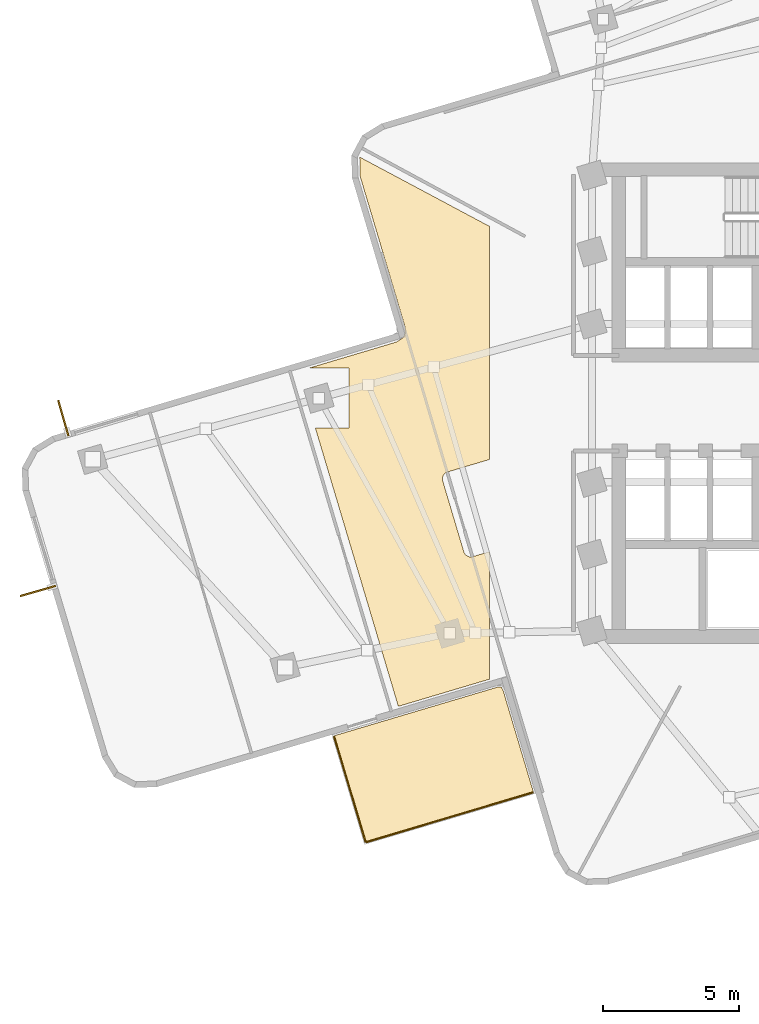
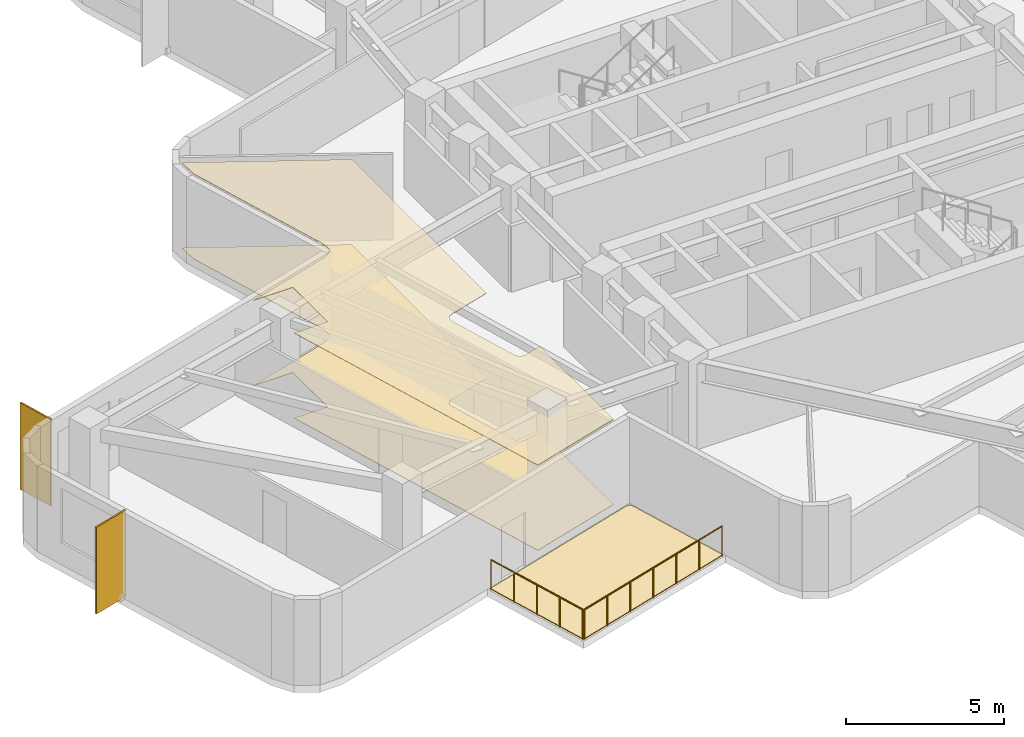
# One storey, part 6 of 8: 3 coverings, 2 railings, 2 shading devices.
"""IFC4 building model written with IfcOpenShell, lengths in metres."""

from ifc_helpers import new_model, si_unit, direction, frame, origin, origin_2d, place, context, subcontext, project, spatial, polyline, rectangle, circle, outline, extrude, material, layer, layer_set, type_object, element, save


model = new_model("IFC4")

# Units and contexts
model_context = context("Model", 3, precision=1e-05, world=origin(), true_north=direction((0.0, 1.0)))
body_context = subcontext(model_context, "Body", "Model", "MODEL_VIEW")
ifc_project = project(units=[si_unit("LENGTHUNIT", "METRE"), si_unit("AREAUNIT", "SQUARE_METRE"), si_unit("VOLUMEUNIT", "CUBIC_METRE"), si_unit("PLANEANGLEUNIT", "RADIAN"), si_unit("MASSUNIT", "GRAM", prefix="KILO")], contexts=[model_context])

# Site, building, storey
site_placement = place(None, origin())
site = spatial("IfcSite", under=ifc_project, at=site_placement, CompositionType="ELEMENT")
building_placement = place(site_placement, origin())
building = spatial("IfcBuilding", under=site, at=building_placement, Name="Solmarez Civic Tower", CompositionType="ELEMENT")
storey_placement = place(building_placement, frame((0.0, 0.0, 145.080078125)))
storey = spatial("IfcBuildingStorey", under=building, at=storey_placement, Name="L38", CompositionType="ELEMENT", Elevation=145.080078125)

# Coverings
ifc_material_1 = material(Name="Perforated Mineral-Fibre Acoustic Ceiling")
ifc_layer_1 = layer(ifc_material_1, 0.02490234375)
ifc_layer_set_1 = layer_set([ifc_layer_1], Name="Perforated Mineral-Fibre Acoustic Ceiling")
covering_type_1 = type_object("IfcCoveringType", Name="COV-CEIL-ACOUSTIC", PredefinedType="CEILING", material=ifc_layer_set_1)
covering_1_placement = place(storey_placement, frame((0.0, 0.0, 3.294921875)))
element("IfcCovering", 1, at=covering_1_placement, inside=storey, type_object=covering_type_1, Name="L38 Suspended Acoustic Ceiling 1", PredefinedType="CEILING", context=body_context, shape_type="SweptSolid", body=[
    extrude(outline(polyline([(-15.947998046875, -11.118896484375), (-12.60009765625, -10.1220703125), (-12.60009765625, -5.447021484375), (-13.217041015625, -5.631103515625), (-13.237060546875, -5.635986328125), (-13.258056640625, -5.638916015625), (-13.26806640625, -5.639892578125), (-13.2900390625, -5.64111328125), (-13.294921875, -5.64111328125), (-13.31689453125, -5.639892578125), (-13.337890625, -5.636962890625), (-13.343017578125, -5.635986328125), (-13.3701171875, -5.62890625), (-13.37890625, -5.6259765625), (-13.39111328125, -5.62109375), (-13.39599609375, -5.618896484375), (-13.4130859375, -5.611083984375), (-13.429931640625, -5.60205078125), (-13.446044921875, -5.591064453125), (-13.4580078125, -5.58203125), (-13.47607421875, -5.56689453125), (-13.492919921875, -5.549072265625), (-13.4990234375, -5.5419921875), (-13.511962890625, -5.52490234375), (-13.52294921875, -5.507080078125), (-13.532958984375, -5.488037109375), (-13.537109375, -5.47900390625), (-13.5400390625, -5.471923828125), (-13.5419921875, -5.467041015625), (-13.549072265625, -5.447998046875), (-14.321044921875, -2.85595703125), (-14.325927734375, -2.8359375), (-14.326904296875, -2.8310546875), (-14.330078125, -2.81005859375), (-14.3310546875, -2.7880859375), (-14.3310546875, -2.778076171875), (-14.330078125, -2.756103515625), (-14.326904296875, -2.735107421875), (-14.325927734375, -2.72998046875), (-14.319091796875, -2.702880859375), (-14.31591796875, -2.694091796875), (-14.31103515625, -2.681884765625), (-14.30908203125, -2.677001953125), (-14.301025390625, -2.659912109375), (-14.2919921875, -2.64306640625), (-14.281005859375, -2.626953125), (-14.27197265625, -2.614990234375), (-14.257080078125, -2.596923828125), (-14.239013671875, -2.580078125), (-14.23193359375, -2.573974609375), (-14.215087890625, -2.56103515625), (-14.197021484375, -2.550048828125), (-14.177978515625, -2.5400390625), (-14.1689453125, -2.535888671875), (-14.162109375, -2.532958984375), (-14.156982421875, -2.531005859375), (-14.137939453125, -2.52392578125), (-12.60009765625, -2.06591796875), (-12.60009765625, 6.47509765625), (-17.361083984375, 9.01611328125), (-17.364013671875, 9.009033203125), (-17.344970703125, 8.301025390625), (-15.721923828125, 2.85888671875), (-15.717041015625, 2.840087890625), (-15.712890625, 2.820068359375), (-15.7109375, 2.805908203125), (-15.708984375, 2.780029296875), (-15.705078125, 2.60302734375), (-15.705078125, 2.594970703125), (-15.70703125, 2.56396484375), (-15.7080078125, 2.55908203125), (-15.708984375, 2.552978515625), (-15.7109375, 2.535888671875), (-15.715087890625, 2.52001953125), (-15.717041015625, 2.512939453125), (-15.72705078125, 2.486083984375), (-15.72998046875, 2.47900390625), (-15.740966796875, 2.45703125), (-15.7451171875, 2.449951171875), (-15.7529296875, 2.43701171875), (-15.757080078125, 2.430908203125), (-15.77099609375, 2.412109375), (-15.77587890625, 2.406005859375), (-15.7890625, 2.39111328125), (-15.7939453125, 2.385986328125), (-15.80908203125, 2.373046875), (-15.81494140625, 2.367919921875), (-15.827880859375, 2.35791015625), (-15.8349609375, 2.35302734375), (-15.847900390625, 2.344970703125), (-15.993896484375, 2.2548828125), (-16.010986328125, 2.2451171875), (-16.01708984375, 2.241943359375), (-16.028076171875, 2.237060546875), (-16.034912109375, 2.23388671875), (-16.052001953125, 2.22705078125), (-16.05810546875, 2.22509765625), (-16.06494140625, 2.222900390625), (-19.218017578125, 1.282958984375), (-17.760009765625, 1.282958984375), (-17.760009765625, -0.9169921875), (-18.989013671875, -0.9169921875), (-15.947998046875, -11.118896484375)])), origin(), (0.0, 0.0, 1.0), 0.02490234375),
])
ifc_material_2 = material(Name="Polished Tropical Stone Terrazzo Flooring", Category="masonry")
ifc_layer_2 = layer(ifc_material_2, 0.02001953125)
ifc_layer_set_2 = layer_set([ifc_layer_2], Name="Polished Tropical Stone Terrazzo Flooring")
covering_type_2 = type_object("IfcCoveringType", Name="COV-FLOOR-TERRAZZO", PredefinedType="FLOORING", material=ifc_layer_set_2)
covering_2_placement = place(storey_placement, origin())
element("IfcCovering", 2, at=covering_2_placement, inside=storey, type_object=covering_type_2, Name="L38 Terrazzo Floor Finish 1", PredefinedType="FLOORING", context=body_context, shape_type="SweptSolid", body=[
    extrude(outline(polyline([(-15.947998046875, -11.118896484375), (-12.60009765625, -10.1220703125), (-12.60009765625, -5.447021484375), (-13.217041015625, -5.631103515625), (-13.237060546875, -5.635986328125), (-13.258056640625, -5.638916015625), (-13.26806640625, -5.639892578125), (-13.2900390625, -5.64111328125), (-13.294921875, -5.64111328125), (-13.31689453125, -5.639892578125), (-13.337890625, -5.636962890625), (-13.343017578125, -5.635986328125), (-13.3701171875, -5.62890625), (-13.37890625, -5.6259765625), (-13.39111328125, -5.62109375), (-13.39599609375, -5.618896484375), (-13.4130859375, -5.611083984375), (-13.429931640625, -5.60205078125), (-13.446044921875, -5.591064453125), (-13.4580078125, -5.58203125), (-13.47607421875, -5.56689453125), (-13.492919921875, -5.549072265625), (-13.4990234375, -5.5419921875), (-13.511962890625, -5.52490234375), (-13.52294921875, -5.507080078125), (-13.532958984375, -5.488037109375), (-13.537109375, -5.47900390625), (-13.5400390625, -5.471923828125), (-13.5419921875, -5.467041015625), (-13.549072265625, -5.447998046875), (-14.321044921875, -2.85595703125), (-14.325927734375, -2.8359375), (-14.326904296875, -2.8310546875), (-14.330078125, -2.81005859375), (-14.3310546875, -2.7880859375), (-14.3310546875, -2.778076171875), (-14.330078125, -2.756103515625), (-14.326904296875, -2.735107421875), (-14.325927734375, -2.72998046875), (-14.319091796875, -2.702880859375), (-14.31591796875, -2.694091796875), (-14.31103515625, -2.681884765625), (-14.30908203125, -2.677001953125), (-14.301025390625, -2.659912109375), (-14.2919921875, -2.64306640625), (-14.281005859375, -2.626953125), (-14.27197265625, -2.614990234375), (-14.257080078125, -2.596923828125), (-14.239013671875, -2.580078125), (-14.23193359375, -2.573974609375), (-14.215087890625, -2.56103515625), (-14.197021484375, -2.550048828125), (-14.177978515625, -2.5400390625), (-14.1689453125, -2.535888671875), (-14.162109375, -2.532958984375), (-14.156982421875, -2.531005859375), (-14.137939453125, -2.52392578125), (-12.60009765625, -2.06591796875), (-12.60009765625, 6.47509765625), (-17.361083984375, 9.01611328125), (-17.364013671875, 9.009033203125), (-17.344970703125, 8.301025390625), (-15.721923828125, 2.85888671875), (-15.717041015625, 2.840087890625), (-15.712890625, 2.820068359375), (-15.7109375, 2.805908203125), (-15.708984375, 2.780029296875), (-15.705078125, 2.60302734375), (-15.705078125, 2.594970703125), (-15.70703125, 2.56396484375), (-15.7080078125, 2.55908203125), (-15.708984375, 2.552978515625), (-15.7109375, 2.535888671875), (-15.715087890625, 2.52001953125), (-15.717041015625, 2.512939453125), (-15.72705078125, 2.486083984375), (-15.72998046875, 2.47900390625), (-15.740966796875, 2.45703125), (-15.7451171875, 2.449951171875), (-15.7529296875, 2.43701171875), (-15.757080078125, 2.430908203125), (-15.77099609375, 2.412109375), (-15.77587890625, 2.406005859375), (-15.7890625, 2.39111328125), (-15.7939453125, 2.385986328125), (-15.80908203125, 2.373046875), (-15.81494140625, 2.367919921875), (-15.827880859375, 2.35791015625), (-15.8349609375, 2.35302734375), (-15.847900390625, 2.344970703125), (-15.993896484375, 2.2548828125), (-16.010986328125, 2.2451171875), (-16.01708984375, 2.241943359375), (-16.028076171875, 2.237060546875), (-16.034912109375, 2.23388671875), (-16.052001953125, 2.22705078125), (-16.05810546875, 2.22509765625), (-16.06494140625, 2.222900390625), (-19.218017578125, 1.282958984375), (-17.760009765625, 1.282958984375), (-17.760009765625, -0.9169921875), (-18.989013671875, -0.9169921875), (-15.947998046875, -11.118896484375)])), origin(), (0.0, 0.0, 1.0), 0.02001953125),
])
ifc_material_3 = material(Name="Elastomeric Terrace Waterproofing Membrane")
ifc_layer_3 = layer(ifc_material_3, 0.030029296875)
ifc_layer_set_3 = layer_set([ifc_layer_3], Name="Elastomeric Terrace Waterproofing Membrane")
covering_type_3 = type_object("IfcCoveringType", Name="COV-MEMBRANE-ROOF", PredefinedType="ROOFING", material=ifc_layer_set_3)
covering_3_placement = place(storey_placement, origin())
element("IfcCovering", 3, at=covering_3_placement, inside=storey, type_object=covering_type_3, Name="L38 Balcony Waterproofing SW", PredefinedType="ROOFING", context=body_context, shape_type="SweptSolid", body=[
    extrude(outline(polyline([(-12.112060546875, -10.51806640625), (-12.178955078125, -10.407958984375), (-12.306884765625, -10.412109375), (-18.31689453125, -12.202880859375), (-17.152099609375, -16.111083984375), (-10.991943359375, -14.27587890625), (-12.112060546875, -10.51806640625)])), origin(), (0.0, 0.0, 1.0), 0.030029296875),
])

# Shading devices
ifc_material_4 = material(Name="Bronze Anodised Aluminium EN AW-6063 T6", Category="aluminium")
ifc_layer_4 = layer(ifc_material_4, 0.06005859375)
ifc_layer_set_4 = layer_set([ifc_layer_4], Name="Bronze Anodised Aluminium EN AW-6063 T6")
shading_device_type = type_object("IfcShadingDeviceType", Name="FIN-BRONZE-Z34", PredefinedType="USERDEFINED", material=ifc_layer_set_4)
for number, where, z_axis, x_axis, name in (
    (4, (-29.162109375, -6.89111328125, -0.0400390625), (0.0, 0.0, 1.0), (-0.960866227711, -0.277012801949, 0.0), "L38 Anodised Bronze Solar Fin FIN-L38-01"),
    (5, (-28.22998046875, -0.552978515625, -0.0400390625), (0.0, 0.0, 1.0), (-0.276895407927, 0.960900064038, 0.0), "L38 Anodised Bronze Solar Fin FIN-L38-02"),
):
    element("IfcShadingDevice", number, at=place(storey_placement, frame(where, z_axis=z_axis, x_axis=x_axis)), inside=storey, type_object=shading_device_type, Name=name, ObjectType="FIN", PredefinedType="USERDEFINED", context=body_context, shape_type="SweptSolid", body=[
        extrude(rectangle(XDim=1.35009765625, YDim=0.06005859375, at=origin_2d()), origin(), (0.0, 0.0, 1.0), 3.360107421875),
    ])

# Railings
ifc_material_5 = material(Name="Bronze Anodised Aluminium and Laminated Safety Glass Balustrade", Category="aluminium")
railing_type = type_object("IfcRailingType", Name="GUARD-TERR-1180", PredefinedType="BALUSTRADE", material=ifc_material_5)
railing_1_placement = place(storey_placement, frame((-18.306884765625, -12.237060546875, 0.0)))
element("IfcRailing", 6, at=railing_1_placement, inside=storey, type_object=railing_type, Name="L38 Safety Balustrade GRD-BALC-L38-SW-1", PredefinedType="BALUSTRADE", context=body_context, shape_type="SweptSolid", body=[
    extrude(circle(Radius=0.02392578125, at=origin_2d()), frame((0.0, 0.0, 1.15576171875), z_axis=(0.285704010917, -0.958317910793, 0.0), x_axis=(0.958317910793, 0.285704010917, 0.0)), (0.0, 0.0, 1.0), 4.0068359375),
    extrude(circle(Radius=0.02099609375, at=origin_2d()), origin(), (0.0, 0.0, 1.0), 1.1318359375),
    extrude(circle(Radius=0.02099609375, at=origin_2d()), frame((0.2861328125, -0.9599609375, 0.0)), (0.0, 0.0, 1.0), 1.1318359375),
    extrude(circle(Radius=0.02099609375, at=origin_2d()), frame((0.572265625, -1.919921875, 0.0)), (0.0, 0.0, 1.0), 1.1318359375),
    extrude(circle(Radius=0.02099609375, at=origin_2d()), frame((0.858642578125, -2.8798828125, 0.0)), (0.0, 0.0, 1.0), 1.1318359375),
    extrude(circle(Radius=0.02099609375, at=origin_2d()), frame((1.144775390625, -3.83984375, 0.0)), (0.0, 0.0, 1.0), 1.1318359375),
])
railing_2_placement = place(storey_placement, frame((-17.117919921875, -16.10107421875, 0.0)))
element("IfcRailing", 7, at=railing_2_placement, inside=storey, type_object=railing_type, Name="L38 Safety Balustrade GRD-BALC-L38-SW-2", PredefinedType="BALUSTRADE", context=body_context, shape_type="SweptSolid", body=[
    extrude(circle(Radius=0.02392578125, at=origin_2d()), frame((0.0, 0.0, 1.15576171875), z_axis=(0.958362652411, 0.285553894148, 0.0), x_axis=(-0.285553894148, 0.958362652411, 0.0)), (0.0, 0.0, 1.0), 6.356689453125),
    extrude(circle(Radius=0.02099609375, at=origin_2d()), origin(), (0.0, 0.0, 1.0), 1.1318359375),
    extrude(circle(Radius=0.02099609375, at=origin_2d()), frame((1.015380859375, 0.302490234375, 0.0)), (0.0, 0.0, 1.0), 1.1318359375),
    extrude(circle(Radius=0.02099609375, at=origin_2d()), frame((2.03076171875, 0.60498046875, 0.0)), (0.0, 0.0, 1.0), 1.1318359375),
    extrude(circle(Radius=0.02099609375, at=origin_2d()), frame((3.0458984375, 0.90771484375, 0.0)), (0.0, 0.0, 1.0), 1.1318359375),
    extrude(circle(Radius=0.02099609375, at=origin_2d()), frame((4.061279296875, 1.210205078125, 0.0)), (0.0, 0.0, 1.0), 1.1318359375),
    extrude(circle(Radius=0.02099609375, at=origin_2d()), frame((5.07666015625, 1.5126953125, 0.0)), (0.0, 0.0, 1.0), 1.1318359375),
    extrude(circle(Radius=0.02099609375, at=origin_2d()), frame((6.092041015625, 1.815185546875, 0.0)), (0.0, 0.0, 1.0), 1.1318359375),
])

save(model, "model.ifc")
